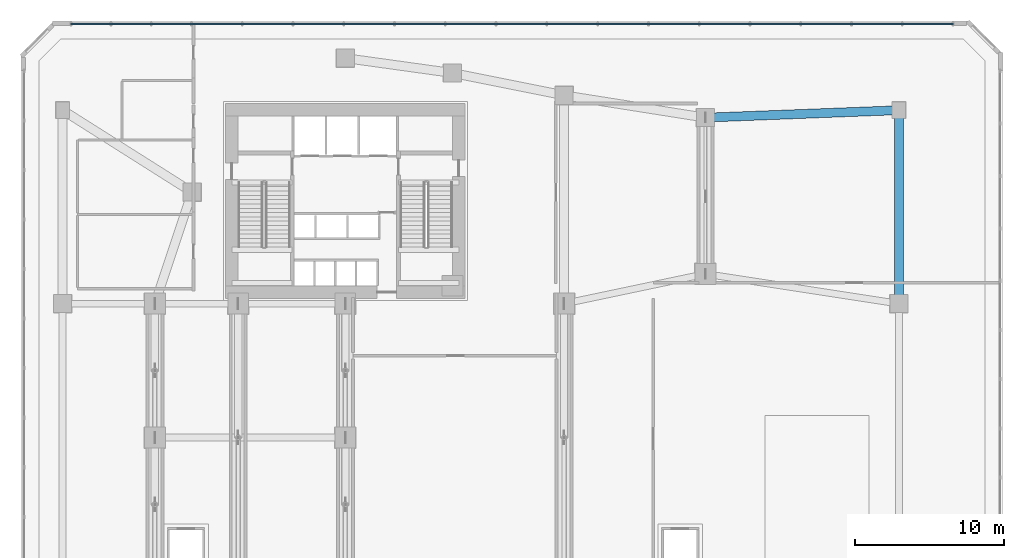
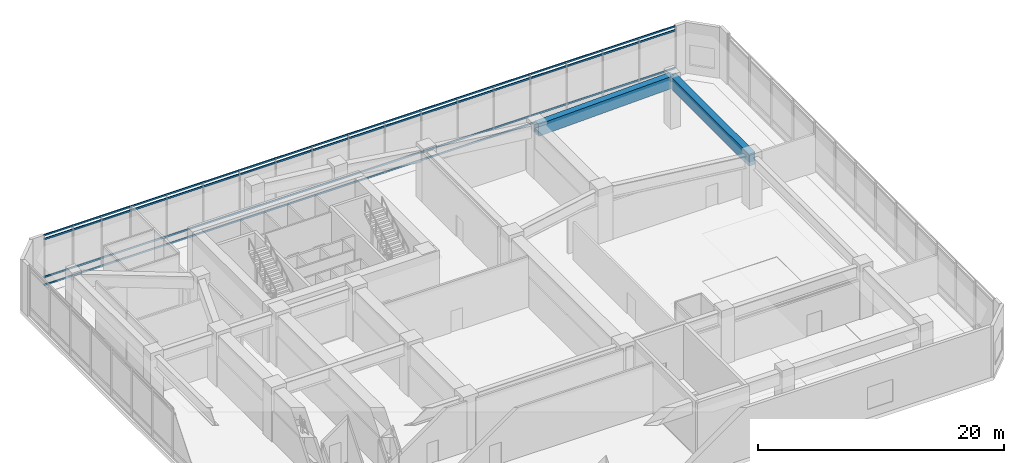
# One storey, part 9 of 21: 4 members, 2 beams, 1 element without a shape of its own.
"""IFC4 building model written with IfcOpenShell, lengths in metres."""

from ifc_helpers import new_model, si_unit, direction, frame, origin, origin_2d, place, context, subcontext, project, spatial, rectangle, extrude, source, transform, mapped, material, material_profile, profile_set, type_object, element, aggregate, save


model = new_model("IFC4")

# Units and contexts
model_context = context("Model", 3, precision=1e-05, world=origin(), true_north=direction((0.0, 1.0)))
body_context = subcontext(model_context, "Body", "Model", "MODEL_VIEW")
ifc_project = project(units=[si_unit("LENGTHUNIT", "METRE"), si_unit("AREAUNIT", "SQUARE_METRE"), si_unit("VOLUMEUNIT", "CUBIC_METRE"), si_unit("PLANEANGLEUNIT", "RADIAN"), si_unit("MASSUNIT", "GRAM", prefix="KILO")], contexts=[model_context])

# Site, building, storey
site_placement = place(None, origin())
site = spatial("IfcSite", under=ifc_project, at=site_placement, CompositionType="ELEMENT")
building_placement = place(site_placement, origin())
building = spatial("IfcBuilding", under=site, at=building_placement, Name="Calvemar Wedge Station Tower", CompositionType="ELEMENT")
storey_placement = place(building_placement, frame((0.0, 0.0, 21.60009765625)))
storey = spatial("IfcBuildingStorey", under=building, at=storey_placement, Name="L05", CompositionType="ELEMENT", Elevation=21.60009765625)

# Beams
ifc_material_1 = material(Name="Concrete C60", Category="concrete")
ifc_material_profile_1 = material_profile(ifc_material_1, rectangle(XDim=0.60009765625, YDim=1.199951171875, at=origin_2d()), Name="RC600x1200")
ifc_profile_set_1 = profile_set([ifc_material_profile_1], Name="Concrete C60")
beam_type = type_object("IfcBeamType", Name="BM-G1-1200", PredefinedType="BEAM", material=ifc_profile_set_1)
shared_shape_1 = source(origin(), body_context, "Body", "SweptSolid", [
    extrude(rectangle(XDim=0.60009765625, YDim=1.199951171875, at=origin_2d()), origin(), (0.0, 0.0, 1.0), 13.0),
])
beam_1_placement = place(storey_placement, frame((61.0, 33.0, 4.449951171875), z_axis=(0.0, 1.0, 0.0), x_axis=(-1.0, 0.0, 0.0)))
element("IfcBeam", 1, at=beam_1_placement, inside=storey, type_object=beam_type, Name="L05 Podium Girder P-CN7-P-N6", PredefinedType="BEAM", context=body_context, shape_type="MappedRepresentation", body=[
    mapped(shared_shape_1, transform((0.0, 0.0, 0.0), scale=1.0)),
])
shared_shape_2 = source(origin(), body_context, "Body", "SweptSolid", [
    extrude(rectangle(XDim=0.60009765625, YDim=1.199951171875, at=origin_2d()), origin(), (0.0, 0.0, 1.0), 13.009521484375),
])
beam_2_placement = place(storey_placement, frame((48.0, 45.5, 4.449951171875), z_axis=(0.999261174631, 0.038433122101, 0.0), x_axis=(-0.038433122101, 0.999261174631, 0.0)))
element("IfcBeam", 2, at=beam_2_placement, inside=storey, type_object=beam_type, Name="L05 Podium Girder P-N5-P-N6", PredefinedType="BEAM", context=body_context, shape_type="MappedRepresentation", body=[
    mapped(shared_shape_2, transform((0.0, 0.0, 0.0), scale=1.0)),
])

# Curtain wall, members
ifc_material_2 = material(Name="Anodised aluminium 6063-T6", Category="aluminium")
curtain_wall_type = type_object("IfcCurtainWallType", Name="CW5", PredefinedType="NOTDEFINED", material=ifc_material_2)
curtain_wall_placement = place(storey_placement, origin())
curtain_wall = element("IfcCurtainWall", 3, at=curtain_wall_placement, inside=storey, type_object=curtain_wall_type, Name="Storey L05 CW5 Recessed Unitised Curtain Wall 4", PredefinedType="NOTDEFINED")
ifc_material_profile_2 = material_profile(ifc_material_2, rectangle(XDim=0.0849609375, YDim=0.169921875, at=origin_2d()), Name="AL-TRN-85x170")
ifc_profile_set_2 = profile_set([ifc_material_profile_2], Name="Anodised aluminium 6063-T6")
member_type = type_object("IfcMemberType", Name="CW5-TRN", PredefinedType="USERDEFINED", material=ifc_profile_set_2)
shared_shape_3 = source(origin(), body_context, "Body", "SweptSolid", [
    extrude(rectangle(XDim=0.0849609375, YDim=0.169921875, at=origin_2d()), origin(), (0.0, 0.0, 1.0), 59.27587890625),
])
member_1_placement = place(storey_placement, frame((64.637939453125, 51.7900390625, 0.059814453125), z_axis=(-1.0, 0.0, 0.0), x_axis=(0.0, -1.0, 0.0)))
member_1 = element("IfcMember", 4, at=member_1_placement, type_object=member_type, Name="CW5 transom 1", ObjectType="TRANSOM", PredefinedType="USERDEFINED", context=body_context, shape_type="MappedRepresentation", body=[
    mapped(shared_shape_3, transform((0.0, 0.0, 0.0), scale=1.0)),
])
member_2_placement = place(storey_placement, frame((64.637939453125, 51.7900390625, 0.849853515625), z_axis=(-1.0, 0.0, 0.0), x_axis=(0.0, -1.0, 0.0)))
member_2 = element("IfcMember", 5, at=member_2_placement, type_object=member_type, Name="CW5 transom 2", ObjectType="TRANSOM", PredefinedType="USERDEFINED", context=body_context, shape_type="MappedRepresentation", body=[
    mapped(shared_shape_3, transform((0.0, 0.0, 0.0), scale=1.0)),
])
member_3_placement = place(storey_placement, frame((64.637939453125, 51.7900390625, 4.599853515625), z_axis=(-1.0, 0.0, 0.0), x_axis=(0.0, -1.0, 0.0)))
member_3 = element("IfcMember", 6, at=member_3_placement, type_object=member_type, Name="CW5 transom 3", ObjectType="TRANSOM", PredefinedType="USERDEFINED", context=body_context, shape_type="MappedRepresentation", body=[
    mapped(shared_shape_3, transform((0.0, 0.0, 0.0), scale=1.0)),
])
member_4_placement = place(storey_placement, frame((64.637939453125, 51.7900390625, 4.989990234375), z_axis=(-1.0, 0.0, 0.0), x_axis=(0.0, -1.0, 0.0)))
member_4 = element("IfcMember", 7, at=member_4_placement, type_object=member_type, Name="CW5 transom 4", ObjectType="TRANSOM", PredefinedType="USERDEFINED", context=body_context, shape_type="MappedRepresentation", body=[
    mapped(shared_shape_3, transform((0.0, 0.0, 0.0), scale=1.0)),
])
aggregate(curtain_wall, [member_1, member_2, member_3, member_4])

save(model, "model.ifc")
